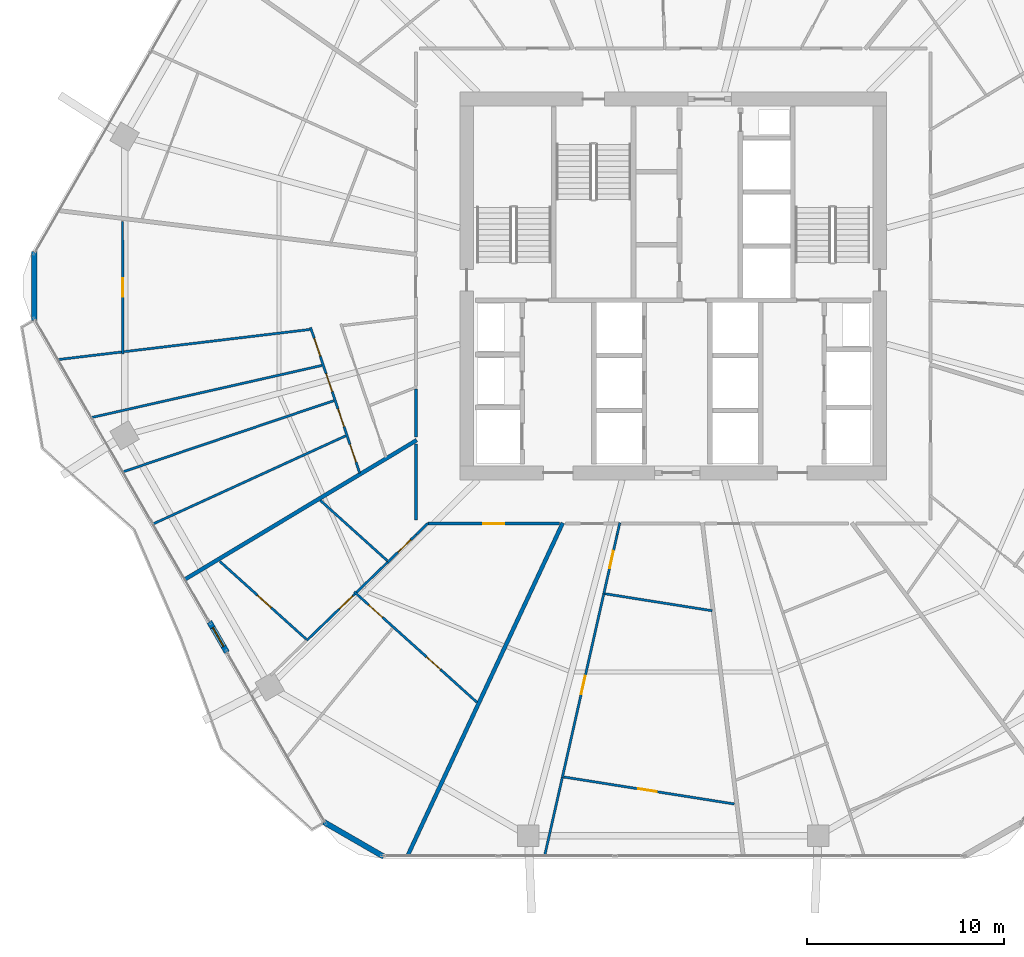
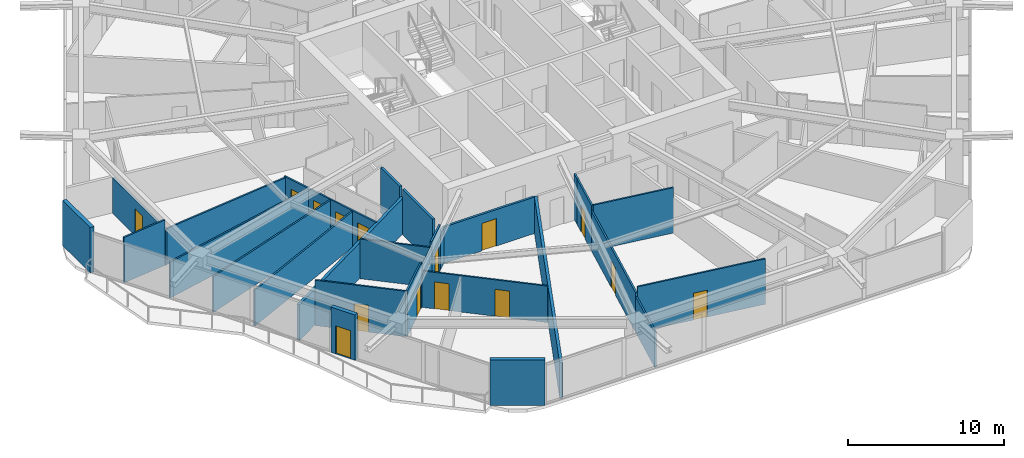
# One storey, part 24 of 32: 28 walls, 15 doors, 15 openings.
"""IFC4 building model written with IfcOpenShell, lengths in metres."""

from ifc_helpers import new_model, si_unit, direction, frame, frame_2d, origin, place, context, subcontext, project, spatial, rectangle, extrude, material, layer, layer_set, type_object, element, fill, save


model = new_model("IFC4")

# Units and contexts
model_context = context("Model", 3, precision=1e-05, world=origin(), true_north=direction((0.0, 1.0)))
body_context = subcontext(model_context, "Body", "Model", "MODEL_VIEW")
ifc_project = project(units=[si_unit("LENGTHUNIT", "METRE"), si_unit("AREAUNIT", "SQUARE_METRE"), si_unit("VOLUMEUNIT", "CUBIC_METRE"), si_unit("PLANEANGLEUNIT", "RADIAN"), si_unit("MASSUNIT", "GRAM", prefix="KILO")], contexts=[model_context])

# Site, building, storey
site_placement = place(None, origin())
site = spatial("IfcSite", under=ifc_project, at=site_placement, CompositionType="ELEMENT")
building_placement = place(site_placement, origin())
building = spatial("IfcBuilding", under=site, at=building_placement, Name="Zuhravey Tower", CompositionType="ELEMENT")
storey_placement = place(building_placement, frame((0.0, 0.0, 111.39990234375)))
storey = spatial("IfcBuildingStorey", under=building, at=storey_placement, Name="L27", CompositionType="ELEMENT", Elevation=111.39990234375)

# Wall, opening, door
ifc_material_1 = material(Name="Gypsum fire-rated stud partition")
ifc_layer_1 = layer(ifc_material_1, 0.159912109375)
ifc_layer_set_1 = layer_set([ifc_layer_1], Name="Gypsum fire-rated stud partition")
wall_type_1 = type_object("IfcWallType", Name="Corridor Fire Partition 160", PredefinedType="PARTITIONING", material=ifc_layer_set_1)
wall_1_placement = place(storey_placement, frame((23.537109375, 19.919921875, 0.0), z_axis=(0.0, 0.0, 1.0), x_axis=(1.0, 0.0, 0.0)))
wall_1 = element("IfcWall", 1, at=wall_1_placement, inside=storey, type_object=wall_type_1, Name="L27 IW16 Partition 052", PredefinedType="PARTITIONING", context=body_context, shape_type="SweptSolid", body=[
    extrude(rectangle(XDim=6.678955078125, YDim=0.159912109375, at=frame_2d((3.33935546875, 0.0))), origin(), (0.0, 0.0, 1.0), 2.85009765625),
])
opening_1_placement = place(wall_1_placement, frame((2.814453125, 0.0, 0.0)))
opening_1 = element("IfcOpeningElement", 2, at=opening_1_placement, cuts=wall_1, Name="Opening APD1", PredefinedType="OPENING", context=body_context, shape_type="SweptSolid", body=[
    extrude(rectangle(XDim=1.050048828125, YDim=2.14990234375, at=frame_2d((0.52490234375, 1.074951171875))), frame((0.0, 0.092041015625, 0.0), z_axis=(0.0, -1.0, 0.0), x_axis=(1.0, 0.0, 0.0)), (0.0, 0.0, 1.0), 0.183837890625),
])
ifc_material_2 = material(Name="Solid-core oak fire-rated leaf")
door_type_1 = type_object("IfcDoorType", Name="Apartment Entrance Fire Door 1050x2150", OperationType="NOTDEFINED", PredefinedType="DOOR", material=ifc_material_2)
door_1_placement = place(opening_1_placement, frame((1.050048828125, 0.0, 0.0), z_axis=(0.0, 0.0, 1.0), x_axis=(-1.0, 0.0, 0.0)))
door_1 = element("IfcDoor", 3, at=door_1_placement, inside=storey, type_object=door_type_1, Name="L27 Door 052.1", OperationType="SINGLE_SWING_RIGHT", OverallHeight=2.14990234375, OverallWidth=1.050048828125, PredefinedType="DOOR", context=body_context, shape_type="SweptSolid", body=[
    extrude(rectangle(XDim=1.050048828125, YDim=2.14990234375, at=frame_2d((0.52490234375, 1.074951171875))), frame((0.0, 0.02490234375, 0.0), z_axis=(0.0, -1.0, 0.0), x_axis=(1.0, 0.0, 0.0)), (0.0, 0.0, 1.0), 0.050048828125),
])
fill(opening_1, door_1)

# Walls
wall_2_placement = place(storey_placement, frame((22.919921875, 26.774169921875, 0.0), z_axis=(0.0, 0.0, 1.0), x_axis=(0.0, -1.0, 0.0)))
element("IfcWall", 4, at=wall_2_placement, inside=storey, type_object=wall_type_1, Name="L27 IW16 Partition 145", PredefinedType="PARTITIONING", context=body_context, shape_type="SweptSolid", body=[
    extrude(rectangle(XDim=2.45556640625, YDim=0.159912109375, at=frame_2d((1.227783203125, 0.0))), origin(), (0.0, 0.0, 1.0), 3.550048828125),
])
wall_3_placement = place(storey_placement, frame((22.919921875, 23.961181640625, 0.0), z_axis=(0.0, 0.0, 1.0), x_axis=(0.0, -1.0, 0.0)))
element("IfcWall", 5, at=wall_3_placement, inside=storey, type_object=wall_type_1, Name="L27 IW16 Partition 146", PredefinedType="PARTITIONING", context=body_context, shape_type="SweptSolid", body=[
    extrude(rectangle(XDim=3.861083984375, YDim=0.159912109375, at=frame_2d((1.9306640625, 0.0))), origin(), (0.0, 0.0, 1.0), 3.550048828125),
])
ifc_material_3 = material(Name="Precast concrete C40/50", Category="concrete")
ifc_layer_2 = layer(ifc_material_3, 0.280029296875)
ifc_layer_set_2 = layer_set([ifc_layer_2], Name="Precast concrete C40/50")
wall_type_2 = type_object("IfcWallType", Name="Crown Architectural Wall 280", PredefinedType="SOLIDWALL", material=ifc_layer_set_2)
wall_4_placement = place(storey_placement, frame((21.28271484375, 2.993896484375, 0.0), z_axis=(0.0, 0.0, 1.0), x_axis=(-0.866007452331, 0.500031091541, 0.0)))
element("IfcWall", 6, at=wall_4_placement, inside=storey, type_object=wall_type_2, Name="L27 Rounded Corner Closure Wall EW28-04", PredefinedType="SOLIDWALL", context=body_context, shape_type="SweptSolid", body=[
    extrude(rectangle(XDim=3.514892578125, YDim=0.280029296875, at=frame_2d((1.75732421875, 0.0))), origin(), (0.0, 0.0, 1.0), 3.550048828125),
])

# Wall, opening, door
wall_5_placement = place(storey_placement, frame((13.3125, 13.37890625, 0.0), z_axis=(0.0, 0.0, 1.0), x_axis=(-0.500041240653, 0.866001592173, 0.0)))
wall_5 = element("IfcWall", 7, at=wall_5_placement, inside=storey, type_object=wall_type_2, Name="L27 Face 4 Facade Pier EW28-1", PredefinedType="SOLIDWALL", context=body_context, shape_type="SweptSolid", body=[
    extrude(rectangle(XDim=1.789794921875, YDim=0.280029296875, at=frame_2d((0.89501953125, 0.0))), origin(), (0.0, 0.0, 1.0), 3.550048828125),
])
opening_2_placement = place(wall_5_placement, frame((0.344970703125, 0.0, 0.0)))
opening_2 = element("IfcOpeningElement", 8, at=opening_2_placement, cuts=wall_5, Name="Opening BLD1", PredefinedType="OPENING", context=body_context, shape_type="SweptSolid", body=[
    extrude(rectangle(XDim=1.10009765625, YDim=2.199951171875, at=frame_2d((0.550048828125, 1.10009765625))), frame((0.0, 0.152099609375, 0.0), z_axis=(0.0, -1.0, 0.0), x_axis=(1.0, 0.0, 0.0)), (0.0, 0.0, 1.0), 0.303955078125),
])
ifc_material_4 = material(Name="Thermally broken aluminium and low-E glass", Category="aluminium")
door_type_2 = type_object("IfcDoorType", Name="Balcony & Sky-Tray Glazed Door 1100x2200", OperationType="NOTDEFINED", PredefinedType="DOOR", material=ifc_material_4)
door_2_placement = place(opening_2_placement, frame((1.10009765625, 0.0, 0.0), z_axis=(0.0, 0.0, 1.0), x_axis=(-1.0, 0.0, 0.0)))
door_2 = element("IfcDoor", 9, at=door_2_placement, inside=storey, type_object=door_type_2, Name="L27 Face 4 Wave Balcony Door", OperationType="SINGLE_SWING_LEFT", OverallHeight=2.199951171875, OverallWidth=1.10009765625, PredefinedType="DOOR", context=body_context, shape_type="SweptSolid", body=[
    extrude(rectangle(XDim=1.10009765625, YDim=2.199951171875, at=frame_2d((0.550048828125, 1.10009765625))), frame((0.0, 0.02490234375, 0.0), z_axis=(0.0, -1.0, 0.0), x_axis=(1.0, 0.0, 0.0)), (0.0, 0.0, 1.0), 0.050048828125),
])
fill(opening_2, door_2)

# Walls
wall_6_placement = place(storey_placement, frame((3.521484375, 30.242431640625, 0.0), z_axis=(0.0, 0.0, 1.0), x_axis=(0.0, 1.0, 0.0)))
element("IfcWall", 10, at=wall_6_placement, inside=storey, type_object=wall_type_2, Name="L27 Rounded Corner Closure Wall EW28-06", PredefinedType="SOLIDWALL", context=body_context, shape_type="SweptSolid", body=[
    extrude(rectangle(XDim=3.51513671875, YDim=0.280029296875, at=frame_2d((1.757568359375, 0.0))), origin(), (0.0, 0.0, 1.0), 3.550048828125),
])
ifc_material_5 = material(Name="Gypsum double-stud party assembly")
ifc_layer_3 = layer(ifc_material_5, 0.199951171875)
ifc_layer_set_3 = layer_set([ifc_layer_3], Name="Gypsum double-stud party assembly")
wall_type_3 = type_object("IfcWallType", Name="Inter-Tenancy Party Wall 200", PredefinedType="PARTITIONING", material=ifc_layer_set_3)
wall_7_placement = place(storey_placement, frame((22.9599609375, 24.164794921875, 0.0), z_axis=(0.0, 0.0, 1.0), x_axis=(-0.857163744899, -0.515043992714, 0.0)))
element("IfcWall", 11, at=wall_7_placement, inside=storey, type_object=wall_type_3, Name="L27 IW20 Partition 113", PredefinedType="PARTITIONING", context=body_context, shape_type="SweptSolid", body=[
    extrude(rectangle(XDim=13.749755859375, YDim=0.199951171875, at=frame_2d((6.875, 0.0))), origin(), (0.0, 0.0, 1.0), 2.800048828125),
])
wall_8_placement = place(storey_placement, frame((30.3857421875, 19.9599609375, 0.0), z_axis=(0.0, 0.0, 1.0), x_axis=(-0.422626983595, -0.906303719918, 0.0)))
element("IfcWall", 12, at=wall_8_placement, inside=storey, type_object=wall_type_3, Name="L27 IW20 Partition 119", PredefinedType="PARTITIONING", context=body_context, shape_type="SweptSolid", body=[
    extrude(rectangle(XDim=18.66748046875, YDim=0.199951171875, at=frame_2d((9.333740234375, 0.0))), origin(), (0.0, 0.0, 1.0), 2.800048828125),
])

# Wall, opening, door
ifc_material_6 = material(Name="Gypsum metal-stud partition")
ifc_layer_4 = layer(ifc_material_6, 0.1201171875)
ifc_layer_set_4 = layer_set([ifc_layer_4], Name="Gypsum metal-stud partition")
wall_type_4 = type_object("IfcWallType", Name="Unit Internal Partition 120", PredefinedType="PARTITIONING", material=ifc_layer_set_4)
wall_9_placement = place(storey_placement, frame((8.003662109375, 35.290283203125, 0.0), z_axis=(0.0, 0.0, 1.0), x_axis=(0.00282658773, -0.999996005193, 0.0)))
wall_9 = element("IfcWall", 13, at=wall_9_placement, inside=storey, type_object=wall_type_4, Name="L27 IW12 Partition 043", PredefinedType="PARTITIONING", context=body_context, shape_type="SweptSolid", body=[
    extrude(rectangle(XDim=6.737060546875, YDim=0.1201171875, at=frame_2d((3.36865234375, 0.0))), origin(), (0.0, 0.0, 1.0), 2.800048828125),
])
opening_3_placement = place(wall_9_placement, frame((2.8935546875, 0.0, 0.0)))
opening_3 = element("IfcOpeningElement", 14, at=opening_3_placement, cuts=wall_9, Name="Opening IND1", PredefinedType="OPENING", context=body_context, shape_type="SweptSolid", body=[
    extrude(rectangle(XDim=0.949951171875, YDim=2.10009765625, at=frame_2d((0.47509765625, 1.050048828125))), frame((0.0, 0.072021484375, 0.0), z_axis=(0.0, -1.0, 0.0), x_axis=(1.0, 0.0, 0.0)), (0.0, 0.0, 1.0), 0.14404296875),
])
ifc_material_7 = material(Name="Painted engineered timber leaf", Category="wood")
door_type_3 = type_object("IfcDoorType", Name="Internal Room & Bedroom Door 950x2100", OperationType="NOTDEFINED", PredefinedType="DOOR", material=ifc_material_7)
door_3_placement = place(opening_3_placement, frame((0.949951171875, 0.0, 0.0), z_axis=(0.0, 0.0, 1.0), x_axis=(-1.0, 0.0, 0.0)))
door_3 = element("IfcDoor", 15, at=door_3_placement, inside=storey, type_object=door_type_3, Name="Apartment L27-06 Family Study Door", OperationType="SINGLE_SWING_LEFT", OverallHeight=2.10009765625, OverallWidth=0.949951171875, PredefinedType="DOOR", context=body_context, shape_type="SweptSolid", body=[
    extrude(rectangle(XDim=0.949951171875, YDim=2.10009765625, at=frame_2d((0.47509765625, 1.050048828125))), frame((0.0, 0.02490234375, 0.0), z_axis=(0.0, -1.0, 0.0), x_axis=(1.0, 0.0, 0.0)), (0.0, 0.0, 1.0), 0.050048828125),
])
fill(opening_3, door_3)

# Wall, openings, doors
wall_10_placement = place(storey_placement, frame((17.560791015625, 29.8955078125, 0.0), z_axis=(0.0, 0.0, 1.0), x_axis=(0.319947688878, -0.947435209596, 0.0)))
wall_10 = element("IfcWall", 16, at=wall_10_placement, inside=storey, type_object=wall_type_4, Name="L27 IW12 Partition 045", PredefinedType="PARTITIONING", context=body_context, shape_type="SweptSolid", body=[
    extrude(rectangle(XDim=7.8115234375, YDim=0.1201171875, at=frame_2d((3.90576171875, 0.0))), origin(), (0.0, 0.0, 1.0), 2.85009765625),
])
opening_4_placement = place(wall_10_placement, frame((0.587158203125, 0.0, 0.0)))
opening_4 = element("IfcOpeningElement", 17, at=opening_4_placement, cuts=wall_10, Name="Opening IND1", PredefinedType="OPENING", context=body_context, shape_type="SweptSolid", body=[
    extrude(rectangle(XDim=0.949951171875, YDim=2.10009765625, at=frame_2d((0.47509765625, 1.050048828125))), frame((0.0, 0.072021484375, 0.0), z_axis=(0.0, -1.0, 0.0), x_axis=(1.0, 0.0, 0.0)), (0.0, 0.0, 1.0), 0.14404296875),
])
opening_5_placement = place(wall_10_placement, frame((2.48974609375, 0.0, 0.0)))
opening_5 = element("IfcOpeningElement", 18, at=opening_5_placement, cuts=wall_10, Name="Opening IND1", PredefinedType="OPENING", context=body_context, shape_type="SweptSolid", body=[
    extrude(rectangle(XDim=0.949951171875, YDim=2.10009765625, at=frame_2d((0.47509765625, 1.050048828125))), frame((0.0, 0.072021484375, 0.0), z_axis=(0.0, -1.0, 0.0), x_axis=(1.0, 0.0, 0.0)), (0.0, 0.0, 1.0), 0.14404296875),
])
opening_6_placement = place(wall_10_placement, frame((4.37158203125, 0.0, 0.0)))
opening_6 = element("IfcOpeningElement", 19, at=opening_6_placement, cuts=wall_10, Name="Opening IND1", PredefinedType="OPENING", context=body_context, shape_type="SweptSolid", body=[
    extrude(rectangle(XDim=0.949951171875, YDim=2.10009765625, at=frame_2d((0.47509765625, 1.050048828125))), frame((0.0, 0.072021484375, 0.0), z_axis=(0.0, -1.0, 0.0), x_axis=(1.0, 0.0, 0.0)), (0.0, 0.0, 1.0), 0.14404296875),
])
opening_7_placement = place(wall_10_placement, frame((6.274169921875, 0.0, 0.0)))
opening_7 = element("IfcOpeningElement", 20, at=opening_7_placement, cuts=wall_10, Name="Opening IND1", PredefinedType="OPENING", context=body_context, shape_type="SweptSolid", body=[
    extrude(rectangle(XDim=0.949951171875, YDim=2.10009765625, at=frame_2d((0.47509765625, 1.050048828125))), frame((0.0, 0.072021484375, 0.0), z_axis=(0.0, -1.0, 0.0), x_axis=(1.0, 0.0, 0.0)), (0.0, 0.0, 1.0), 0.14404296875),
])
door_4_placement = place(opening_4_placement, frame((0.949951171875, 0.0, 0.0), z_axis=(0.0, 0.0, 1.0), x_axis=(-1.0, 0.0, 0.0)))
door_4 = element("IfcDoor", 21, at=door_4_placement, inside=storey, type_object=door_type_3, Name="Apartment L27-06 Bedroom 1 Door", OperationType="SINGLE_SWING_RIGHT", OverallHeight=2.10009765625, OverallWidth=0.949951171875, PredefinedType="DOOR", context=body_context, shape_type="SweptSolid", body=[
    extrude(rectangle(XDim=0.949951171875, YDim=2.10009765625, at=frame_2d((0.47509765625, 1.050048828125))), frame((0.0, 0.02490234375, 0.0), z_axis=(0.0, -1.0, 0.0), x_axis=(1.0, 0.0, 0.0)), (0.0, 0.0, 1.0), 0.050048828125),
])
fill(opening_4, door_4)
door_5_placement = place(opening_5_placement, frame((0.949951171875, 0.0, 0.0), z_axis=(0.0, 0.0, 1.0), x_axis=(-1.0, 0.0, 0.0)))
door_5 = element("IfcDoor", 22, at=door_5_placement, inside=storey, type_object=door_type_3, Name="Apartment L27-06 Bedroom 2 Door", OperationType="SINGLE_SWING_LEFT", OverallHeight=2.10009765625, OverallWidth=0.949951171875, PredefinedType="DOOR", context=body_context, shape_type="SweptSolid", body=[
    extrude(rectangle(XDim=0.949951171875, YDim=2.10009765625, at=frame_2d((0.47509765625, 1.050048828125))), frame((0.0, 0.02490234375, 0.0), z_axis=(0.0, -1.0, 0.0), x_axis=(1.0, 0.0, 0.0)), (0.0, 0.0, 1.0), 0.050048828125),
])
fill(opening_5, door_5)
door_6_placement = place(opening_6_placement, frame((0.949951171875, 0.0, 0.0), z_axis=(0.0, 0.0, 1.0), x_axis=(-1.0, 0.0, 0.0)))
door_6 = element("IfcDoor", 23, at=door_6_placement, inside=storey, type_object=door_type_3, Name="Apartment L27-06 Bedroom 3 Door", OperationType="SINGLE_SWING_RIGHT", OverallHeight=2.10009765625, OverallWidth=0.949951171875, PredefinedType="DOOR", context=body_context, shape_type="SweptSolid", body=[
    extrude(rectangle(XDim=0.949951171875, YDim=2.10009765625, at=frame_2d((0.47509765625, 1.050048828125))), frame((0.0, 0.02490234375, 0.0), z_axis=(0.0, -1.0, 0.0), x_axis=(1.0, 0.0, 0.0)), (0.0, 0.0, 1.0), 0.050048828125),
])
fill(opening_6, door_6)
door_7_placement = place(opening_7_placement, frame((0.949951171875, 0.0, 0.0), z_axis=(0.0, 0.0, 1.0), x_axis=(-1.0, 0.0, 0.0)))
door_7 = element("IfcDoor", 24, at=door_7_placement, inside=storey, type_object=door_type_3, Name="Apartment L27-06 Bedroom 4 Door", OperationType="SINGLE_SWING_LEFT", OverallHeight=2.10009765625, OverallWidth=0.949951171875, PredefinedType="DOOR", context=body_context, shape_type="SweptSolid", body=[
    extrude(rectangle(XDim=0.949951171875, YDim=2.10009765625, at=frame_2d((0.47509765625, 1.050048828125))), frame((0.0, 0.02490234375, 0.0), z_axis=(0.0, -1.0, 0.0), x_axis=(1.0, 0.0, 0.0)), (0.0, 0.0, 1.0), 0.050048828125),
])
fill(opening_7, door_7)

wall_11_placement = place(storey_placement, frame((19.781494140625, 16.455078125, 0.0), z_axis=(0.0, 0.0, 1.0), x_axis=(0.743143681273, -0.669131877125, 0.0)))
wall_11 = element("IfcWall", 25, at=wall_11_placement, inside=storey, type_object=wall_type_4, Name="L27 IW12 Partition 047", PredefinedType="PARTITIONING", context=body_context, shape_type="SweptSolid", body=[
    extrude(rectangle(XDim=8.391845703125, YDim=0.1201171875, at=frame_2d((4.19580078125, 0.0))), origin(), (0.0, 0.0, 1.0), 2.85009765625),
])
opening_8_placement = place(wall_11_placement, frame((0.9892578125, 0.0, 0.0)))
opening_8 = element("IfcOpeningElement", 26, at=opening_8_placement, cuts=wall_11, Name="Opening IND1", PredefinedType="OPENING", context=body_context, shape_type="SweptSolid", body=[
    extrude(rectangle(XDim=0.949951171875, YDim=2.10009765625, at=frame_2d((0.47509765625, 1.050048828125))), frame((0.0, 0.072021484375, 0.0), z_axis=(0.0, -1.0, 0.0), x_axis=(1.0, 0.0, 0.0)), (0.0, 0.0, 1.0), 0.14404296875),
])
opening_9_placement = place(wall_11_placement, frame((4.9453125, 0.0, 0.0)))
opening_9 = element("IfcOpeningElement", 27, at=opening_9_placement, cuts=wall_11, Name="Opening IND1", PredefinedType="OPENING", context=body_context, shape_type="SweptSolid", body=[
    extrude(rectangle(XDim=0.949951171875, YDim=2.10009765625, at=frame_2d((0.47509765625, 1.050048828125))), frame((0.0, 0.072021484375, 0.0), z_axis=(0.0, -1.0, 0.0), x_axis=(1.0, 0.0, 0.0)), (0.0, 0.0, 1.0), 0.14404296875),
])
door_8_placement = place(opening_8_placement, frame((0.949951171875, 0.0, 0.0), z_axis=(0.0, 0.0, 1.0), x_axis=(-1.0, 0.0, 0.0)))
door_8 = element("IfcDoor", 28, at=door_8_placement, inside=storey, type_object=door_type_3, Name="Apartment L27-07 Family Study Door", OperationType="SINGLE_SWING_LEFT", OverallHeight=2.10009765625, OverallWidth=0.949951171875, PredefinedType="DOOR", context=body_context, shape_type="SweptSolid", body=[
    extrude(rectangle(XDim=0.949951171875, YDim=2.10009765625, at=frame_2d((0.47509765625, 1.050048828125))), frame((0.0, 0.02490234375, 0.0), z_axis=(0.0, -1.0, 0.0), x_axis=(1.0, 0.0, 0.0)), (0.0, 0.0, 1.0), 0.050048828125),
])
fill(opening_8, door_8)
door_9_placement = place(opening_9_placement, frame((0.949951171875, 0.0, 0.0), z_axis=(0.0, 0.0, 1.0), x_axis=(-1.0, 0.0, 0.0)))
door_9 = element("IfcDoor", 29, at=door_9_placement, inside=storey, type_object=door_type_3, Name="Apartment L27-07 Dining Room Door", OperationType="SINGLE_SWING_RIGHT", OverallHeight=2.10009765625, OverallWidth=0.949951171875, PredefinedType="DOOR", context=body_context, shape_type="SweptSolid", body=[
    extrude(rectangle(XDim=0.949951171875, YDim=2.10009765625, at=frame_2d((0.47509765625, 1.050048828125))), frame((0.0, 0.02490234375, 0.0), z_axis=(0.0, -1.0, 0.0), x_axis=(1.0, 0.0, 0.0)), (0.0, 0.0, 1.0), 0.050048828125),
])
fill(opening_9, door_9)

# Wall, opening, door
wall_12_placement = place(storey_placement, frame((22.937744140625, 19.368408203125, 0.0), z_axis=(0.0, 0.0, 1.0), x_axis=(-0.718812006411, -0.695204501884, 0.0)))
wall_12 = element("IfcWall", 30, at=wall_12_placement, inside=storey, type_object=wall_type_4, Name="L27 IW12 Partition 048", PredefinedType="PARTITIONING", context=body_context, shape_type="SweptSolid", body=[
    extrude(rectangle(XDim=2.00634765625, YDim=0.1201171875, at=frame_2d((1.003173828125, 0.0))), origin(), (0.0, 0.0, 1.0), 3.550048828125),
])
opening_10_placement = place(wall_12_placement, frame((0.392578125, 0.0, 0.0)))
opening_10 = element("IfcOpeningElement", 31, at=opening_10_placement, cuts=wall_12, Name="Opening WCD1", PredefinedType="OPENING", context=body_context, shape_type="SweptSolid", body=[
    extrude(rectangle(XDim=0.89990234375, YDim=2.10009765625, at=frame_2d((0.449951171875, 1.050048828125))), frame((0.0, 0.072021484375, 0.0), z_axis=(0.0, -1.0, 0.0), x_axis=(1.0, 0.0, 0.0)), (0.0, 0.0, 1.0), 0.14404296875),
])
ifc_material_8 = material(Name="Moisture-resistant timber leaf", Category="wood")
door_type_4 = type_object("IfcDoorType", Name="Bathroom & WC Internal Door 900x2100", OperationType="NOTDEFINED", PredefinedType="DOOR", material=ifc_material_8)
door_10_placement = place(opening_10_placement, frame((0.89990234375, 0.0, 0.0), z_axis=(0.0, 0.0, 1.0), x_axis=(-1.0, 0.0, 0.0)))
door_10 = element("IfcDoor", 32, at=door_10_placement, inside=storey, type_object=door_type_4, Name="Apartment L27-07 Bathroom Door", OperationType="SINGLE_SWING_LEFT", OverallHeight=2.10009765625, OverallWidth=0.89990234375, PredefinedType="DOOR", context=body_context, shape_type="SweptSolid", body=[
    extrude(rectangle(XDim=0.89990234375, YDim=2.10009765625, at=frame_2d((0.449951171875, 1.050048828125))), frame((0.0, 0.02490234375, 0.0), z_axis=(0.0, -1.0, 0.0), x_axis=(1.0, 0.0, 0.0)), (0.0, 0.0, 1.0), 0.050048828125),
])
fill(opening_10, door_10)

# Wall
wall_13_placement = place(storey_placement, frame((21.49560546875, 17.9736328125, 0.0), z_axis=(0.0, 0.0, 1.0), x_axis=(-0.718868898455, -0.695145673103, 0.0)))
element("IfcWall", 33, at=wall_13_placement, inside=storey, type_object=wall_type_4, Name="L27 IW12 Partition 049", PredefinedType="PARTITIONING", context=body_context, shape_type="SweptSolid", body=[
    extrude(rectangle(XDim=2.212646484375, YDim=0.1201171875, at=frame_2d((1.1064453125, 0.0))), origin(), (0.0, 0.0, 1.0), 3.10009765625),
])

# Wall, opening, door
wall_14_placement = place(storey_placement, frame((19.806884765625, 16.3408203125, 0.0), z_axis=(0.0, 0.0, 1.0), x_axis=(-0.718831046799, -0.69518481439, 0.0)))
wall_14 = element("IfcWall", 34, at=wall_14_placement, inside=storey, type_object=wall_type_4, Name="L27 IW12 Partition 050", PredefinedType="PARTITIONING", context=body_context, shape_type="SweptSolid", body=[
    extrude(rectangle(XDim=3.386474609375, YDim=0.1201171875, at=frame_2d((1.693359375, 0.0))), origin(), (0.0, 0.0, 1.0), 3.550048828125),
])
opening_11_placement = place(wall_14_placement, frame((0.139892578125, 0.0, 0.0)))
opening_11 = element("IfcOpeningElement", 35, at=opening_11_placement, cuts=wall_14, Name="Opening IND1", PredefinedType="OPENING", context=body_context, shape_type="SweptSolid", body=[
    extrude(rectangle(XDim=0.949951171875, YDim=2.10009765625, at=frame_2d((0.47509765625, 1.050048828125))), frame((0.0, 0.072021484375, 0.0), z_axis=(0.0, -1.0, 0.0), x_axis=(1.0, 0.0, 0.0)), (0.0, 0.0, 1.0), 0.14404296875),
])
door_11_placement = place(opening_11_placement, frame((0.949951171875, 0.0, 0.0), z_axis=(0.0, 0.0, 1.0), x_axis=(-1.0, 0.0, 0.0)))
door_11 = element("IfcDoor", 36, at=door_11_placement, inside=storey, type_object=door_type_3, Name="Apartment L27-07 Home Office Door", OperationType="SINGLE_SWING_RIGHT", OverallHeight=2.10009765625, OverallWidth=0.949951171875, PredefinedType="DOOR", context=body_context, shape_type="SweptSolid", body=[
    extrude(rectangle(XDim=0.949951171875, YDim=2.10009765625, at=frame_2d((0.47509765625, 1.050048828125))), frame((0.0, 0.02490234375, 0.0), z_axis=(0.0, -1.0, 0.0), x_axis=(1.0, 0.0, 0.0)), (0.0, 0.0, 1.0), 0.050048828125),
])
fill(opening_11, door_11)

wall_15_placement = place(storey_placement, frame((12.95654296875, 17.99609375, 0.0), z_axis=(0.0, 0.0, 1.0), x_axis=(0.743162407379, -0.669111079163, 0.0)))
wall_15 = element("IfcWall", 37, at=wall_15_placement, inside=storey, type_object=wall_type_4, Name="L27 IW12 Partition 051", PredefinedType="PARTITIONING", context=body_context, shape_type="SweptSolid", body=[
    extrude(rectangle(XDim=5.898193359375, YDim=0.1201171875, at=frame_2d((2.94921875, 0.0))), origin(), (0.0, 0.0, 1.0), 3.550048828125),
])
opening_12_placement = place(wall_15_placement, frame((2.558349609375, 0.0, 0.0)))
opening_12 = element("IfcOpeningElement", 38, at=opening_12_placement, cuts=wall_15, Name="Opening IND1", PredefinedType="OPENING", context=body_context, shape_type="SweptSolid", body=[
    extrude(rectangle(XDim=0.949951171875, YDim=2.10009765625, at=frame_2d((0.47509765625, 1.050048828125))), frame((0.0, 0.072021484375, 0.0), z_axis=(0.0, -1.0, 0.0), x_axis=(1.0, 0.0, 0.0)), (0.0, 0.0, 1.0), 0.14404296875),
])
door_12_placement = place(opening_12_placement, frame((0.949951171875, 0.0, 0.0), z_axis=(0.0, 0.0, 1.0), x_axis=(-1.0, 0.0, 0.0)))
door_12 = element("IfcDoor", 39, at=door_12_placement, inside=storey, type_object=door_type_3, Name="Apartment L27-07 Bedroom 1 Door", OperationType="SINGLE_SWING_LEFT", OverallHeight=2.10009765625, OverallWidth=0.949951171875, PredefinedType="DOOR", context=body_context, shape_type="SweptSolid", body=[
    extrude(rectangle(XDim=0.949951171875, YDim=2.10009765625, at=frame_2d((0.47509765625, 1.050048828125))), frame((0.0, 0.02490234375, 0.0), z_axis=(0.0, -1.0, 0.0), x_axis=(1.0, 0.0, 0.0)), (0.0, 0.0, 1.0), 0.050048828125),
])
fill(opening_12, door_12)

wall_16_placement = place(storey_placement, frame((33.14453125, 19.35009765625, 0.0), z_axis=(0.0, 0.0, 1.0), x_axis=(-0.220163710026, -0.975462936655, 0.0)))
wall_16 = element("IfcWall", 40, at=wall_16_placement, inside=storey, type_object=wall_type_4, Name="L27 IW12 Partition 053", PredefinedType="PARTITIONING", context=body_context, shape_type="SweptSolid", body=[
    extrude(rectangle(XDim=3.0849609375, YDim=0.1201171875, at=frame_2d((1.54248046875, 0.0))), origin(), (0.0, 0.0, 1.0), 3.550048828125),
])
opening_13_placement = place(wall_16_placement, frame((0.845703125, 0.0, 0.0)))
opening_13 = element("IfcOpeningElement", 41, at=opening_13_placement, cuts=wall_16, Name="Opening WCD1", PredefinedType="OPENING", context=body_context, shape_type="SweptSolid", body=[
    extrude(rectangle(XDim=0.89990234375, YDim=2.10009765625, at=frame_2d((0.449951171875, 1.050048828125))), frame((0.0, 0.072021484375, 0.0), z_axis=(0.0, -1.0, 0.0), x_axis=(1.0, 0.0, 0.0)), (0.0, 0.0, 1.0), 0.14404296875),
])
door_13_placement = place(opening_13_placement, origin())
door_13 = element("IfcDoor", 42, at=door_13_placement, inside=storey, type_object=door_type_4, Name="Apartment L27-08 Bathroom Door", OperationType="SINGLE_SWING_LEFT", OverallHeight=2.10009765625, OverallWidth=0.89990234375, PredefinedType="DOOR", context=body_context, shape_type="SweptSolid", body=[
    extrude(rectangle(XDim=0.89990234375, YDim=2.10009765625, at=frame_2d((0.449951171875, 1.050048828125))), frame((0.0, 0.02490234375, 0.0), z_axis=(0.0, -1.0, 0.0), x_axis=(1.0, 0.0, 0.0)), (0.0, 0.0, 1.0), 0.050048828125),
])
fill(opening_13, door_13)

wall_17_placement = place(storey_placement, frame((32.46533203125, 16.3408203125, 0.0), z_axis=(0.0, 0.0, 1.0), x_axis=(-0.220183949045, -0.975458368452, 0.0)))
wall_17 = element("IfcWall", 43, at=wall_17_placement, inside=storey, type_object=wall_type_4, Name="L27 IW12 Partition 054", PredefinedType="PARTITIONING", context=body_context, shape_type="SweptSolid", body=[
    extrude(rectangle(XDim=9.546875, YDim=0.1201171875, at=frame_2d((4.7734375, 0.0))), origin(), (0.0, 0.0, 1.0), 3.10009765625),
])
opening_14_placement = place(wall_17_placement, frame((4.2734375, 0.0, 0.0)))
opening_14 = element("IfcOpeningElement", 44, at=opening_14_placement, cuts=wall_17, Name="Opening IND1", PredefinedType="OPENING", context=body_context, shape_type="SweptSolid", body=[
    extrude(rectangle(XDim=0.949951171875, YDim=2.10009765625, at=frame_2d((0.47509765625, 1.050048828125))), frame((0.0, 0.072021484375, 0.0), z_axis=(0.0, -1.0, 0.0), x_axis=(1.0, 0.0, 0.0)), (0.0, 0.0, 1.0), 0.14404296875),
])
door_14_placement = place(opening_14_placement, origin())
door_14 = element("IfcDoor", 45, at=door_14_placement, inside=storey, type_object=door_type_3, Name="Apartment L27-08 Home Office Door", OperationType="SINGLE_SWING_RIGHT", OverallHeight=2.10009765625, OverallWidth=0.949951171875, PredefinedType="DOOR", context=body_context, shape_type="SweptSolid", body=[
    extrude(rectangle(XDim=0.949951171875, YDim=2.10009765625, at=frame_2d((0.47509765625, 1.050048828125))), frame((0.0, 0.02490234375, 0.0), z_axis=(0.0, -1.0, 0.0), x_axis=(1.0, 0.0, 0.0)), (0.0, 0.0, 1.0), 0.050048828125),
])
fill(opening_14, door_14)

wall_18_placement = place(storey_placement, frame((30.43603515625, 7.0419921875, 0.0), z_axis=(0.0, 0.0, 1.0), x_axis=(0.987688614877, -0.156432733283, 0.0)))
wall_18 = element("IfcWall", 46, at=wall_18_placement, inside=storey, type_object=wall_type_4, Name="L27 IW12 Partition 055", PredefinedType="PARTITIONING", context=body_context, shape_type="SweptSolid", body=[
    extrude(rectangle(XDim=8.7724609375, YDim=0.1201171875, at=frame_2d((4.38623046875, 0.0))), origin(), (0.0, 0.0, 1.0), 3.550048828125),
])
opening_15_placement = place(wall_18_placement, frame((3.8271484375, 0.0, 0.0)))
opening_15 = element("IfcOpeningElement", 47, at=opening_15_placement, cuts=wall_18, Name="Opening IND1", PredefinedType="OPENING", context=body_context, shape_type="SweptSolid", body=[
    extrude(rectangle(XDim=0.949951171875, YDim=2.10009765625, at=frame_2d((0.47509765625, 1.050048828125))), frame((0.0, 0.072021484375, 0.0), z_axis=(0.0, -1.0, 0.0), x_axis=(1.0, 0.0, 0.0)), (0.0, 0.0, 1.0), 0.14404296875),
])
door_15_placement = place(opening_15_placement, frame((0.949951171875, 0.0, 0.0), z_axis=(0.0, 0.0, 1.0), x_axis=(-1.0, 0.0, 0.0)))
door_15 = element("IfcDoor", 48, at=door_15_placement, inside=storey, type_object=door_type_3, Name="Apartment L27-08 Bedroom 1 Door", OperationType="SINGLE_SWING_LEFT", OverallHeight=2.10009765625, OverallWidth=0.949951171875, PredefinedType="DOOR", context=body_context, shape_type="SweptSolid", body=[
    extrude(rectangle(XDim=0.949951171875, YDim=2.10009765625, at=frame_2d((0.47509765625, 1.050048828125))), frame((0.0, 0.02490234375, 0.0), z_axis=(0.0, -1.0, 0.0), x_axis=(1.0, 0.0, 0.0)), (0.0, 0.0, 1.0), 0.050048828125),
])
fill(opening_15, door_15)

# Walls
wall_19_placement = place(storey_placement, frame((18.141845703125, 27.96240234375, 0.0), z_axis=(0.0, 0.0, 1.0), x_axis=(-0.975378348773, -0.220538152583, 0.0)))
element("IfcWall", 49, at=wall_19_placement, inside=storey, type_object=wall_type_4, Name="L27 IW12 Partition 107", PredefinedType="PARTITIONING", context=body_context, shape_type="SweptSolid", body=[
    extrude(rectangle(XDim=12.025634765625, YDim=0.1201171875, at=frame_2d((6.0126953125, 0.0))), origin(), (0.0, 0.0, 1.0), 2.800048828125),
])
wall_20_placement = place(storey_placement, frame((18.74609375, 26.17333984375, 0.0), z_axis=(0.0, 0.0, 1.0), x_axis=(-0.947430912787, -0.319960412389, 0.0)))
element("IfcWall", 50, at=wall_20_placement, inside=storey, type_object=wall_type_4, Name="L27 IW12 Partition 108", PredefinedType="PARTITIONING", context=body_context, shape_type="SweptSolid", body=[
    extrude(rectangle(XDim=11.333984375, YDim=0.1201171875, at=frame_2d((5.6669921875, 0.0))), origin(), (0.0, 0.0, 1.0), 2.800048828125),
])
wall_21_placement = place(storey_placement, frame((19.35009765625, 24.38427734375, 0.0), z_axis=(0.0, 0.0, 1.0), x_axis=(-0.909372754927, -0.415982202259, 0.0)))
element("IfcWall", 51, at=wall_21_placement, inside=storey, type_object=wall_type_4, Name="L27 IW12 Partition 109", PredefinedType="PARTITIONING", context=body_context, shape_type="SweptSolid", body=[
    extrude(rectangle(XDim=10.78955078125, YDim=0.1201171875, at=frame_2d((5.394775390625, 0.0))), origin(), (0.0, 0.0, 1.0), 2.800048828125),
])
wall_22_placement = place(storey_placement, frame((17.524658203125, 29.790283203125, 0.0), z_axis=(0.0, 0.0, 1.0), x_axis=(-0.992925874221, -0.11873587622, 0.0)))
element("IfcWall", 52, at=wall_22_placement, inside=storey, type_object=wall_type_4, Name="L27 IW12 Partition 111", PredefinedType="PARTITIONING", context=body_context, shape_type="SweptSolid", body=[
    extrude(rectangle(XDim=9.50146484375, YDim=0.1201171875, at=frame_2d((4.750732421875, 0.0))), origin(), (0.0, 0.0, 1.0), 2.800048828125),
])
wall_23_placement = place(storey_placement, frame((7.954345703125, 28.645751953125, 0.0), z_axis=(0.0, 0.0, 1.0), x_axis=(-0.992930883054, -0.11869398248, 0.0)))
element("IfcWall", 53, at=wall_23_placement, inside=storey, type_object=wall_type_4, Name="L27 IW12 Partition 112", PredefinedType="PARTITIONING", context=body_context, shape_type="SweptSolid", body=[
    extrude(rectangle(XDim=3.264404296875, YDim=0.1201171875, at=frame_2d((1.63232421875, 0.0))), origin(), (0.0, 0.0, 1.0), 3.550048828125),
])
wall_24_placement = place(storey_placement, frame((23.537109375, 19.94775390625, 0.0), z_axis=(0.0, 0.0, 1.0), x_axis=(-0.719012767995, -0.694996862914, 0.0)))
element("IfcWall", 54, at=wall_24_placement, inside=storey, type_object=wall_type_4, Name="L27 IW12 Partition 115", PredefinedType="PARTITIONING", context=body_context, shape_type="SweptSolid", body=[
    extrude(rectangle(XDim=0.83349609375, YDim=0.1201171875, at=frame_2d((0.416748046875, 0.0))), origin(), (0.0, 0.0, 1.0), 2.85009765625),
])
wall_25_placement = place(storey_placement, frame((18.06396484375, 21.096923828125, 0.0), z_axis=(0.0, 0.0, 1.0), x_axis=(0.743156109258, -0.669118074238, 0.0)))
element("IfcWall", 55, at=wall_25_placement, inside=storey, type_object=wall_type_4, Name="L27 IW12 Partition 118", PredefinedType="PARTITIONING", context=body_context, shape_type="SweptSolid", body=[
    extrude(rectangle(XDim=4.57373046875, YDim=0.1201171875, at=frame_2d((2.286865234375, 0.0))), origin(), (0.0, 0.0, 1.0), 3.10009765625),
])
wall_26_placement = place(storey_placement, frame((33.283447265625, 19.965087890625, 0.0), z_axis=(0.0, 0.0, 1.0), x_axis=(-0.220332181963, -0.975424896951, 0.0)))
element("IfcWall", 56, at=wall_26_placement, inside=storey, type_object=wall_type_4, Name="L27 IW12 Partition 120", PredefinedType="PARTITIONING", context=body_context, shape_type="SweptSolid", body=[
    extrude(rectangle(XDim=0.63037109375, YDim=0.1201171875, at=frame_2d((0.315185546875, 0.0))), origin(), (0.0, 0.0, 1.0), 3.550048828125),
])
wall_27_placement = place(storey_placement, frame((30.36328125, 7.0283203125, 0.0), z_axis=(0.0, 0.0, 1.0), x_axis=(-0.220176625834, -0.975460021444, 0.0)))
element("IfcWall", 57, at=wall_27_placement, inside=storey, type_object=wall_type_4, Name="L27 IW12 Partition 121", PredefinedType="PARTITIONING", context=body_context, shape_type="SweptSolid", body=[
    extrude(rectangle(XDim=4.091552734375, YDim=0.1201171875, at=frame_2d((2.0458984375, 0.0))), origin(), (0.0, 0.0, 1.0), 2.800048828125),
])
wall_28_placement = place(storey_placement, frame((32.5380859375, 16.3544921875, 0.0), z_axis=(0.0, 0.0, 1.0), x_axis=(0.987690664092, -0.156419794354, 0.0)))
element("IfcWall", 58, at=wall_28_placement, inside=storey, type_object=wall_type_4, Name="L27 IW12 Partition 122", PredefinedType="PARTITIONING", context=body_context, shape_type="SweptSolid", body=[
    extrude(rectangle(XDim=5.51123046875, YDim=0.1201171875, at=frame_2d((2.755615234375, 0.0))), origin(), (0.0, 0.0, 1.0), 3.550048828125),
])

save(model, "model.ifc")
